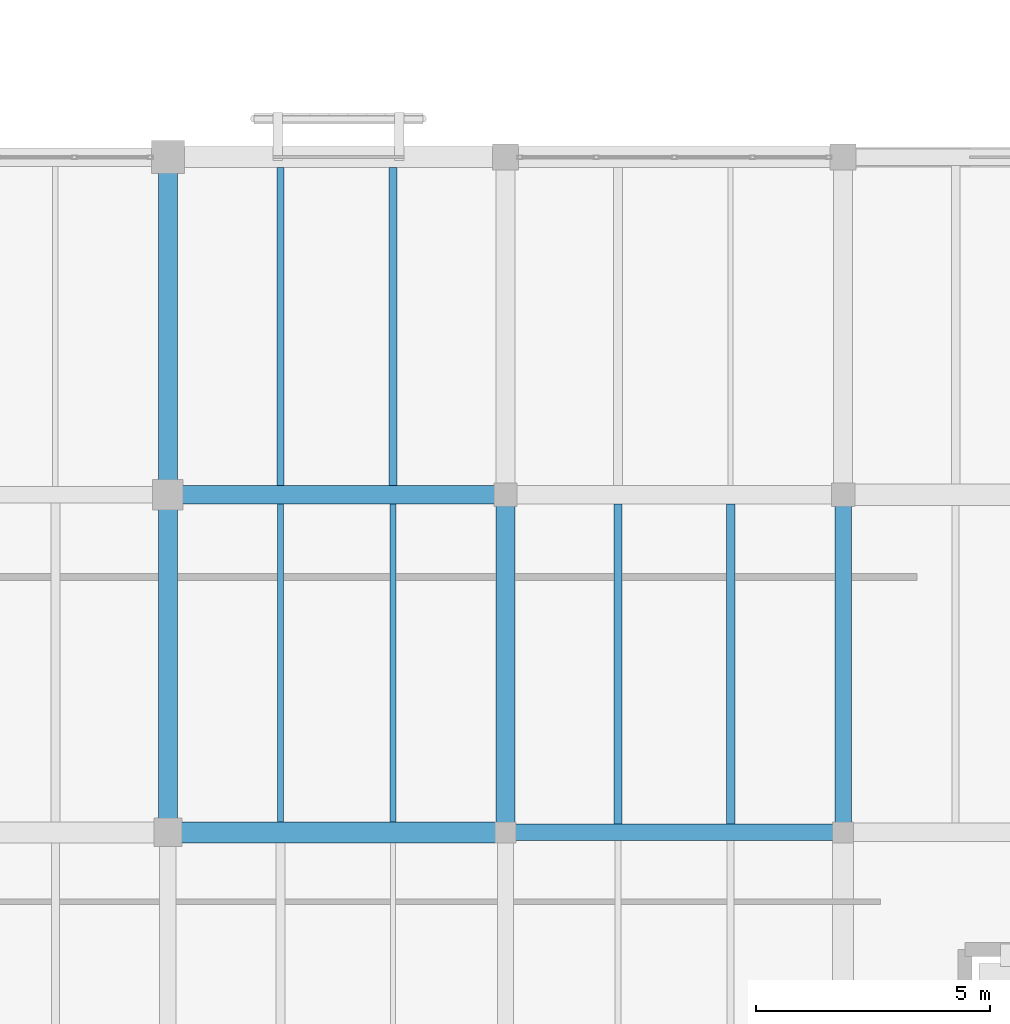
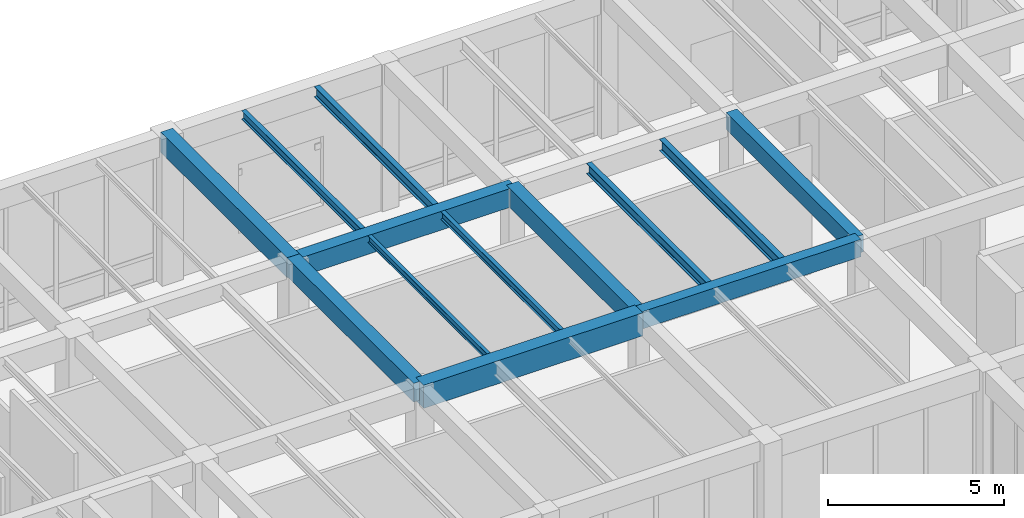
# One storey, part 105 of 169: 13 beams.
"""IFC4 building model written with IfcOpenShell, lengths in metres."""

from ifc_helpers import new_model, si_unit, direction, frame, origin, origin_2d, place, context, subcontext, project, spatial, rectangle, i_section, extrude, material, material_profile, profile_set, type_object, element, save


model = new_model("IFC4")

# Units and contexts
model_context = context("Model", 3, precision=1e-05, world=origin(), true_north=direction((0.0, 1.0)))
body_context = subcontext(model_context, "Body", "Model", "MODEL_VIEW")
ifc_project = project(units=[si_unit("LENGTHUNIT", "METRE"), si_unit("AREAUNIT", "SQUARE_METRE"), si_unit("VOLUMEUNIT", "CUBIC_METRE"), si_unit("PLANEANGLEUNIT", "RADIAN"), si_unit("MASSUNIT", "GRAM", prefix="KILO")], contexts=[model_context])

# Site, building, storey
site_placement = place(None, origin())
site = spatial("IfcSite", under=ifc_project, at=site_placement, CompositionType="ELEMENT")
building_placement = place(site_placement, origin())
building = spatial("IfcBuilding", under=site, at=building_placement, Name="Mazaris Harbour Polytechnic", CompositionType="ELEMENT")
storey_placement = place(building_placement, origin())
storey = spatial("IfcBuildingStorey", under=building, at=storey_placement, Name="L00", CompositionType="ELEMENT", Elevation=0.0)

# Beams
ifc_material_1 = material(Name="Concrete C35/45", Category="concrete")
ifc_material_profile_1 = material_profile(ifc_material_1, rectangle(XDim=0.35009765625, YDim=0.60009765625, at=origin_2d()), Name="RECT350x600")
ifc_profile_set_1 = profile_set([ifc_material_profile_1], Name="Concrete C35/45")
beam_type_1 = type_object("IfcBeamType", Name="RC Girder 350x600", PredefinedType="BEAM", material=ifc_profile_set_1)
for number, where, z_axis, x_axis, name in (
    (1, (151.199951171875, 93.60009765625, 4.800048828125), (1.0, 0.0, 0.0), (0.0, 1.0, 0.0), "V5 L00 Girder 2740"),
    (2, (158.39990234375, 93.60009765625, 4.800048828125), (0.0, 1.0, 0.0), (-1.0, 0.0, 0.0), "V5 L00 Tie Girder 2800"),
):
    element("IfcBeam", number, at=place(storey_placement, frame(where, z_axis=z_axis, x_axis=x_axis)), inside=storey, type_object=beam_type_1, Name=name, PredefinedType="BEAM", context=body_context, shape_type="SweptSolid", body=[
        extrude(rectangle(XDim=0.35009765625, YDim=0.60009765625, at=origin_2d()), origin(), (0.0, 0.0, 1.0), 7.199951171875),
    ])
ifc_material_2 = material(Name="Concrete C35/45", Category="concrete")
ifc_material_profile_2 = material_profile(ifc_material_2, rectangle(XDim=0.39990234375, YDim=0.64990234375, at=origin_2d()), Name="RECT400x650")
ifc_profile_set_2 = profile_set([ifc_material_profile_2], Name="Concrete C35/45")
beam_type_2 = type_object("IfcBeamType", Name="RC Girder 400x650", PredefinedType="BEAM", material=ifc_profile_set_2)
for number, where, z_axis, x_axis, name in (
    (3, (144.0, 100.800048828125, 4.77490234375), (1.0, 0.0, 0.0), (0.0, 1.0, 0.0), "V5 L00 Girder 2746"),
    (4, (144.0, 93.60009765625, 4.77490234375), (0.0, 1.0, 0.0), (-1.0, 0.0, 0.0), "V5 L00 Tie Girder 2786"),
    (5, (151.199951171875, 93.60009765625, 4.77490234375), (0.0, 1.0, 0.0), (-1.0, 0.0, 0.0), "V5 L00 Tie Girder 2791"),
):
    element("IfcBeam", number, at=place(storey_placement, frame(where, z_axis=z_axis, x_axis=x_axis)), inside=storey, type_object=beam_type_2, Name=name, PredefinedType="BEAM", context=body_context, shape_type="SweptSolid", body=[
        extrude(rectangle(XDim=0.39990234375, YDim=0.64990234375, at=origin_2d()), origin(), (0.0, 0.0, 1.0), 7.199951171875),
    ])
ifc_material_3 = material(Name="Concrete C35/45", Category="concrete")
ifc_material_profile_3 = material_profile(ifc_material_3, rectangle(XDim=0.39990234375, YDim=0.699951171875, at=origin_2d()), Name="RECT400x700")
ifc_profile_set_3 = profile_set([ifc_material_profile_3], Name="Concrete C35/45")
beam_type_3 = type_object("IfcBeamType", Name="RC Girder 400x700", PredefinedType="BEAM", material=ifc_profile_set_3)
beam_1_placement = place(storey_placement, frame((144.0, 100.800048828125, 4.75), z_axis=(0.0, 1.0, 0.0), x_axis=(-1.0, 0.0, 0.0)))
element("IfcBeam", 6, at=beam_1_placement, inside=storey, type_object=beam_type_3, Name="V5 L00 Tie Girder 2787", PredefinedType="BEAM", context=body_context, shape_type="SweptSolid", body=[
    extrude(rectangle(XDim=0.39990234375, YDim=0.699951171875, at=origin_2d()), origin(), (0.0, 0.0, 1.0), 7.199951171875),
])
ifc_material_4 = material(Name="Concrete C40/50", Category="concrete")
ifc_material_profile_4 = material_profile(ifc_material_4, rectangle(XDim=0.449951171875, YDim=0.800048828125, at=origin_2d()), Name="RECT450x800")
ifc_profile_set_4 = profile_set([ifc_material_profile_4], Name="Concrete C40/50")
beam_type_4 = type_object("IfcBeamType", Name="RC Girder 450x800", PredefinedType="BEAM", material=ifc_profile_set_4)
beam_2_placement = place(storey_placement, frame((144.0, 93.60009765625, 4.699951171875), z_axis=(1.0, 0.0, 0.0), x_axis=(0.0, 1.0, 0.0)))
element("IfcBeam", 7, at=beam_2_placement, inside=storey, type_object=beam_type_4, Name="V5 L00 Girder 2739", PredefinedType="BEAM", context=body_context, shape_type="SweptSolid", body=[
    extrude(rectangle(XDim=0.449951171875, YDim=0.800048828125, at=origin_2d()), origin(), (0.0, 0.0, 1.0), 7.199951171875),
])
ifc_material_5 = material(Name="Steel S355", Category="steel")
ifc_material_profile_5 = material_profile(ifc_material_5, i_section(OverallWidth=0.1201171875, OverallDepth=0.239990234375, WebThickness=0.006103515625, FlangeThickness=0.009765625, FilletRadius=0.014892578125, at=origin_2d()), Name="IPE 240")
ifc_profile_set_5 = profile_set([ifc_material_profile_5], Name="Steel S355")
beam_type_5 = type_object("IfcBeamType", Name="Steel Joist IPE240", PredefinedType="JOIST", material=ifc_profile_set_5)
beam_3_placement = place(storey_placement, frame((146.39990234375, 93.824951171875, 4.97998046875), z_axis=(0.0, 1.0, 0.0), x_axis=(-1.0, 0.0, 0.0)))
element("IfcBeam", 8, at=beam_3_placement, inside=storey, type_object=beam_type_5, Name="V5 L00 Floor Joist 2864", PredefinedType="JOIST", context=body_context, shape_type="SweptSolid", body=[
    extrude(i_section(OverallWidth=0.1201171875, OverallDepth=0.239990234375, WebThickness=0.006103515625, FlangeThickness=0.009765625, FilletRadius=0.014892578125, at=origin_2d()), origin(), (0.0, 0.0, 1.0), 6.775146484375),
])
ifc_material_6 = material(Name="Steel S355", Category="steel")
ifc_material_profile_6 = material_profile(ifc_material_6, i_section(OverallWidth=0.135009765625, OverallDepth=0.27001953125, WebThickness=0.006591796875, FlangeThickness=0.01025390625, FilletRadius=0.014892578125, at=origin_2d()), Name="IPE 270")
ifc_profile_set_6 = profile_set([ifc_material_profile_6], Name="Steel S355")
beam_type_6 = type_object("IfcBeamType", Name="Steel Joist IPE270", PredefinedType="JOIST", material=ifc_profile_set_6)
beam_4_placement = place(storey_placement, frame((148.800048828125, 93.824951171875, 4.965087890625), z_axis=(0.0, 1.0, 0.0), x_axis=(-1.0, 0.0, 0.0)))
element("IfcBeam", 9, at=beam_4_placement, inside=storey, type_object=beam_type_6, Name="V5 L00 Floor Joist 2865", PredefinedType="JOIST", context=body_context, shape_type="SweptSolid", body=[
    extrude(i_section(OverallWidth=0.135009765625, OverallDepth=0.27001953125, WebThickness=0.006591796875, FlangeThickness=0.01025390625, FilletRadius=0.014892578125, at=origin_2d()), origin(), (0.0, 0.0, 1.0), 6.775146484375),
])
ifc_material_7 = material(Name="Steel S355", Category="steel")
ifc_material_profile_7 = material_profile(ifc_material_7, i_section(OverallWidth=0.14990234375, OverallDepth=0.300048828125, WebThickness=0.007080078125, FlangeThickness=0.0107421875, FilletRadius=0.014892578125, at=origin_2d()), Name="IPE 300")
ifc_profile_set_7 = profile_set([ifc_material_profile_7], Name="Steel S355")
beam_type_7 = type_object("IfcBeamType", Name="Steel Joist IPE300", PredefinedType="JOIST", material=ifc_profile_set_7)
beam_5_placement = place(storey_placement, frame((146.39990234375, 101.0, 4.949951171875), z_axis=(0.0, 1.0, 0.0), x_axis=(-1.0, 0.0, 0.0)))
element("IfcBeam", 10, at=beam_5_placement, inside=storey, type_object=beam_type_7, Name="V5 L00 Floor Joist 2866", PredefinedType="JOIST", context=body_context, shape_type="SweptSolid", body=[
    extrude(i_section(OverallWidth=0.14990234375, OverallDepth=0.300048828125, WebThickness=0.007080078125, FlangeThickness=0.0107421875, FilletRadius=0.014892578125, at=origin_2d()), origin(), (0.0, 0.0, 1.0), 6.77490234375),
])
ifc_material_8 = material(Name="Steel S355", Category="steel")
ifc_material_profile_8 = material_profile(ifc_material_8, i_section(OverallWidth=0.169921875, OverallDepth=0.360107421875, WebThickness=0.008056640625, FlangeThickness=0.0126953125, FilletRadius=0.01806640625, at=origin_2d()), Name="IPE 360")
ifc_profile_set_8 = profile_set([ifc_material_profile_8], Name="Steel S355")
beam_type_8 = type_object("IfcBeamType", Name="Steel Joist IPE360", PredefinedType="JOIST", material=ifc_profile_set_8)
beam_6_placement = place(storey_placement, frame((148.800048828125, 101.0, 4.919921875), z_axis=(0.0, 1.0, 0.0), x_axis=(-1.0, 0.0, 0.0)))
element("IfcBeam", 11, at=beam_6_placement, inside=storey, type_object=beam_type_8, Name="V5 L00 Floor Joist 2867", PredefinedType="JOIST", context=body_context, shape_type="SweptSolid", body=[
    extrude(i_section(OverallWidth=0.169921875, OverallDepth=0.360107421875, WebThickness=0.008056640625, FlangeThickness=0.0126953125, FilletRadius=0.01806640625, at=origin_2d()), origin(), (0.0, 0.0, 1.0), 6.77490234375),
])
beam_7_placement = place(storey_placement, frame((153.60009765625, 93.77490234375, 4.919921875), z_axis=(0.0, 1.0, 0.0), x_axis=(-1.0, 0.0, 0.0)))
element("IfcBeam", 12, at=beam_7_placement, inside=storey, type_object=beam_type_8, Name="V5 L00 Floor Joist 2874", PredefinedType="JOIST", context=body_context, shape_type="SweptSolid", body=[
    extrude(i_section(OverallWidth=0.169921875, OverallDepth=0.360107421875, WebThickness=0.008056640625, FlangeThickness=0.0126953125, FilletRadius=0.01806640625, at=origin_2d()), origin(), (0.0, 0.0, 1.0), 6.8251953125),
])
ifc_material_9 = material(Name="Steel S355", Category="steel")
ifc_material_profile_9 = material_profile(ifc_material_9, i_section(OverallWidth=0.179931640625, OverallDepth=0.39990234375, WebThickness=0.008544921875, FlangeThickness=0.013427734375, FilletRadius=0.02099609375, at=origin_2d()), Name="IPE 400")
ifc_profile_set_9 = profile_set([ifc_material_profile_9], Name="Steel S355")
beam_type_9 = type_object("IfcBeamType", Name="Steel Joist IPE400", PredefinedType="JOIST", material=ifc_profile_set_9)
beam_8_placement = place(storey_placement, frame((156.0, 93.77490234375, 4.89990234375), z_axis=(0.0, 1.0, 0.0), x_axis=(-1.0, 0.0, 0.0)))
element("IfcBeam", 13, at=beam_8_placement, inside=storey, type_object=beam_type_9, Name="V5 L00 Floor Joist 2875", PredefinedType="JOIST", context=body_context, shape_type="SweptSolid", body=[
    extrude(i_section(OverallWidth=0.179931640625, OverallDepth=0.39990234375, WebThickness=0.008544921875, FlangeThickness=0.013427734375, FilletRadius=0.02099609375, at=origin_2d()), origin(), (0.0, 0.0, 1.0), 6.8251953125),
])

save(model, "model.ifc")
